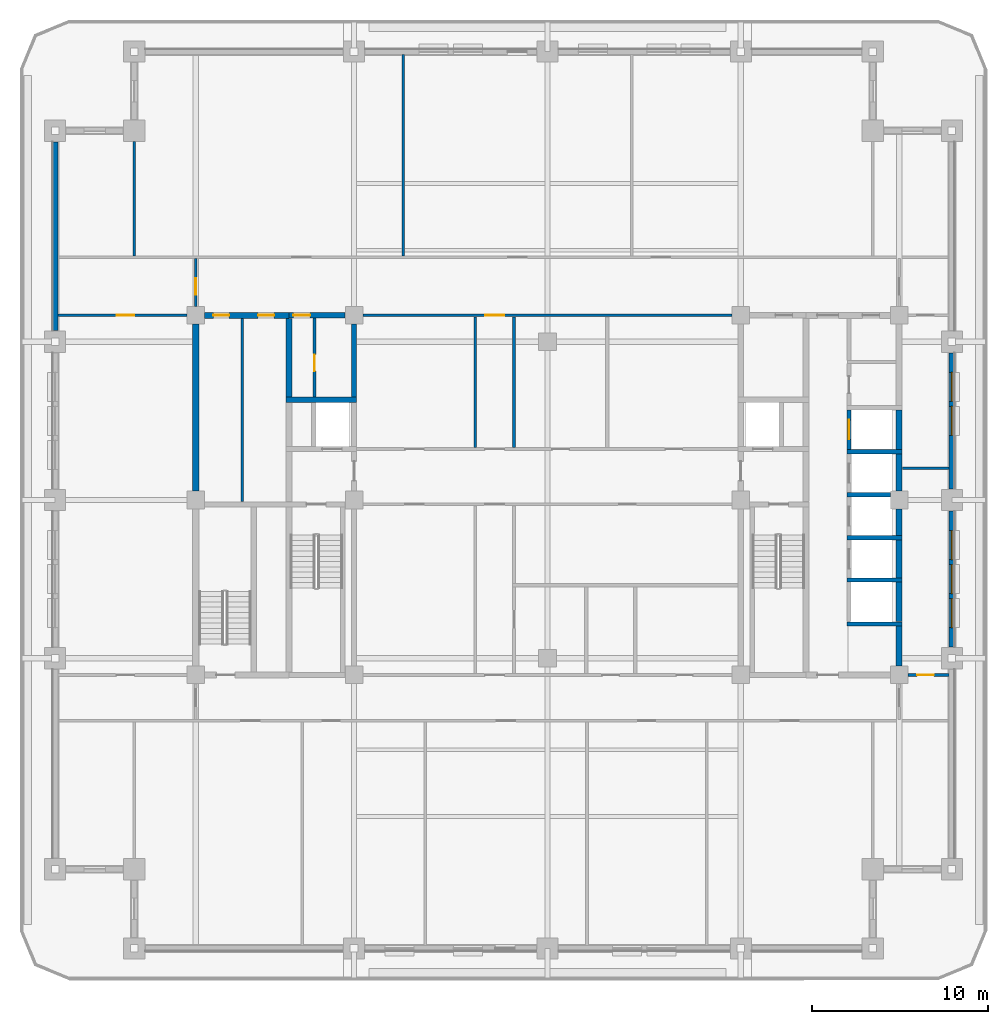
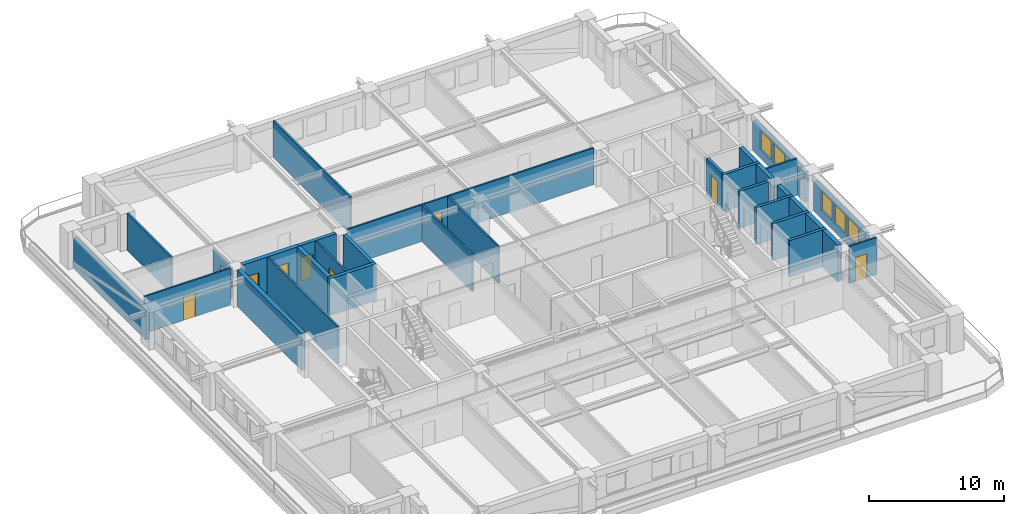
# One storey, part 5 of 16: 32 walls, 9 doors, 5 windows, 14 openings.
"""IFC4 building model written with IfcOpenShell, lengths in metres."""

from ifc_helpers import new_model, si_unit, direction, frame, frame_2d, origin, place, context, subcontext, project, spatial, rectangle, extrude, material, layer, layer_set, type_object, element, fill, save


model = new_model("IFC4")

# Units and contexts
model_context = context("Model", 3, precision=1e-05, world=origin(), true_north=direction((0.0, 1.0)))
body_context = subcontext(model_context, "Body", "Model", "MODEL_VIEW")
ifc_project = project(units=[si_unit("LENGTHUNIT", "METRE"), si_unit("AREAUNIT", "SQUARE_METRE"), si_unit("VOLUMEUNIT", "CUBIC_METRE"), si_unit("PLANEANGLEUNIT", "RADIAN"), si_unit("MASSUNIT", "GRAM", prefix="KILO")], contexts=[model_context])

# Site, building, storey
site_placement = place(None, origin())
site = spatial("IfcSite", under=ifc_project, at=site_placement, CompositionType="ELEMENT")
building_placement = place(site_placement, origin())
building = spatial("IfcBuilding", under=site, at=building_placement, Name="Zulmaris Gate Convention Tower", CompositionType="ELEMENT")
storey_placement = place(building_placement, frame((0.0, 0.0, 124.919921875)))
storey = spatial("IfcBuildingStorey", under=building, at=storey_placement, Name="L31", CompositionType="ELEMENT", Elevation=124.919921875)

# Walls
ifc_material_1 = material(Name="Concrete C50/60", Category="concrete")
ifc_layer_1 = layer(ifc_material_1, 0.25, Name="Concrete C50/60")
ifc_layer_set_1 = layer_set([ifc_layer_1], Name="Concrete C50/60")
wall_type_1 = type_object("IfcWallType", Name="CORE-250", PredefinedType="SOLIDWALL", material=ifc_layer_set_1)
for number, where, z_axis, x_axis, name in (
    (1, (17.02490234375, -7.050048828125, 0.0), (0.0, 0.0, 1.0), (1.0, 0.0, 0.0), "WL-L31-005"),
    (2, (17.02490234375, -4.550048828125, 0.0), (0.0, 0.0, 1.0), (1.0, 0.0, 0.0), "WL-L31-006"),
    (3, (17.02490234375, -2.14990234375, 0.0), (0.0, 0.0, 1.0), (1.0, 0.0, 0.0), "WL-L31-007"),
):
    element("IfcWall", number, at=place(storey_placement, frame(where, z_axis=z_axis, x_axis=x_axis)), inside=storey, type_object=wall_type_1, Name=name, PredefinedType="SOLIDWALL", context=body_context, shape_type="SweptSolid", body=[
        extrude(rectangle(XDim=3.150146484375, YDim=0.25, at=frame_2d((1.5751953125, 0.0))), origin(), (0.0, 0.0, 1.0), 3.31982421875),
    ])
wall_1_placement = place(storey_placement, frame((17.02490234375, 0.300048828125, 0.0), z_axis=(0.0, 0.0, 1.0), x_axis=(1.0, 0.0, 0.0)))
element("IfcWall", 4, at=wall_1_placement, inside=storey, type_object=wall_type_1, Name="WL-L31-010", PredefinedType="SOLIDWALL", context=body_context, shape_type="SweptSolid", body=[
    extrude(rectangle(XDim=2.47119140625, YDim=0.25, at=frame_2d((1.235595703125, 0.0))), origin(), (0.0, 0.0, 1.0), 3.31982421875),
])
wall_2_placement = place(storey_placement, frame((17.02490234375, 2.75, 0.0), z_axis=(0.0, 0.0, 1.0), x_axis=(1.0, 0.0, 0.0)))
element("IfcWall", 5, at=wall_2_placement, inside=storey, type_object=wall_type_1, Name="WL-L31-011", PredefinedType="SOLIDWALL", context=body_context, shape_type="SweptSolid", body=[
    extrude(rectangle(XDim=3.150146484375, YDim=0.25, at=frame_2d((1.5751953125, 0.0))), origin(), (0.0, 0.0, 1.0), 3.31982421875),
])

# Wall, opening, door
wall_3_placement = place(storey_placement, frame((17.14990234375, 2.876953125, 0.0), z_axis=(0.0, 0.0, 1.0), x_axis=(0.0, 1.0, 0.0)))
wall_3 = element("IfcWall", 6, at=wall_3_placement, inside=storey, type_object=wall_type_1, Name="WL-L31-061", PredefinedType="SOLIDWALL", context=body_context, shape_type="SweptSolid", body=[
    extrude(rectangle(XDim=2.24609375, YDim=0.25, at=frame_2d((1.123046875, 0.0))), origin(), (0.0, 0.0, 1.0), 3.31982421875),
])
opening_1_placement = place(wall_3_placement, frame((0.572998046875, 0.0, 0.0)))
opening_1 = element("IfcOpeningElement", 7, at=opening_1_placement, cuts=wall_3, Name="Opening D-06", PredefinedType="OPENING", context=body_context, shape_type="SweptSolid", body=[
    extrude(rectangle(XDim=1.10009765625, YDim=2.199951171875, at=frame_2d((0.550048828125, 1.10009765625))), frame((0.0, 0.135009765625, 0.0), z_axis=(0.0, -1.0, 0.0), x_axis=(1.0, 0.0, 0.0)), (0.0, 0.0, 1.0), 0.27001953125),
])
ifc_material_2 = material(Name="Brushed Stainless Steel", Category="steel")
door_type_1 = type_object("IfcDoorType", Name="LD-1100", OperationType="NOTDEFINED", PredefinedType="DOOR", material=ifc_material_2)
door_1_placement = place(opening_1_placement, origin())
door_1 = element("IfcDoor", 8, at=door_1_placement, inside=storey, type_object=door_type_1, Name="L31 Lift Landing Door MP-04 16", OperationType="SLIDING_TO_RIGHT", OverallHeight=2.199951171875, OverallWidth=1.10009765625, PredefinedType="DOOR", context=body_context, shape_type="SweptSolid", body=[
    extrude(rectangle(XDim=1.10009765625, YDim=2.199951171875, at=frame_2d((0.550048828125, 1.10009765625))), frame((0.0, 0.02490234375, 0.0), z_axis=(0.0, -1.0, 0.0), x_axis=(1.0, 0.0, 0.0)), (0.0, 0.0, 1.0), 0.050048828125),
])
fill(opening_1, door_1)

# Wall
ifc_layer_2 = layer(ifc_material_1, 0.300048828125, Name="Concrete C50/60")
ifc_layer_set_2 = layer_set([ifc_layer_2], Name="Concrete C50/60")
wall_type_2 = type_object("IfcWallType", Name="CORE-300", PredefinedType="SHEAR", material=ifc_layer_set_2)
wall_4_placement = place(storey_placement, frame((-14.875, 5.699951171875, 0.0), z_axis=(0.0, 0.0, 1.0), x_axis=(1.0, 0.0, 0.0)))
element("IfcWall", 9, at=wall_4_placement, inside=storey, type_object=wall_type_2, Name="WL-L31-015", PredefinedType="SHEAR", context=body_context, shape_type="SweptSolid", body=[
    extrude(rectangle(XDim=4.02490234375, YDim=0.300048828125, at=frame_2d((2.012451171875, 0.0))), origin(), (0.0, 0.0, 1.0), 3.31982421875),
])

# Wall, opening, door
wall_5_placement = place(storey_placement, frame((-14.699951171875, 10.5, 0.0), z_axis=(0.0, 0.0, 1.0), x_axis=(1.0, 0.0, 0.0)))
wall_5 = element("IfcWall", 10, at=wall_5_placement, inside=storey, type_object=wall_type_2, Name="WL-L31-018", PredefinedType="SHEAR", context=body_context, shape_type="SweptSolid", body=[
    extrude(rectangle(XDim=3.196044921875, YDim=0.300048828125, at=frame_2d((1.59814453125, 0.0))), origin(), (0.0, 0.0, 1.0), 3.31982421875),
])
opening_2_placement = place(wall_5_placement, frame((0.2451171875, 0.0, 0.0)))
opening_2 = element("IfcOpeningElement", 11, at=opening_2_placement, cuts=wall_5, Name="Opening D-11", PredefinedType="OPENING", context=body_context, shape_type="SweptSolid", body=[
    extrude(rectangle(XDim=0.949951171875, YDim=2.14990234375, at=frame_2d((0.47509765625, 1.074951171875))), frame((0.0, 0.16015625, 0.0), z_axis=(0.0, -1.0, 0.0), x_axis=(1.0, 0.0, 0.0)), (0.0, 0.0, 1.0), 0.320068359375),
])
ifc_material_3 = material(Name="Fire-Rated Timber", Category="wood")
door_type_2 = type_object("IfcDoorType", Name="DR-950-FD", OperationType="NOTDEFINED", PredefinedType="DOOR", material=ifc_material_3)
door_2_placement = place(opening_2_placement, origin())
door_2 = element("IfcDoor", 12, at=door_2_placement, inside=storey, type_object=door_type_2, Name="L31 Core Mail Room Door 07", OperationType="SINGLE_SWING_LEFT", OverallHeight=2.14990234375, OverallWidth=0.949951171875, PredefinedType="DOOR", context=body_context, shape_type="SweptSolid", body=[
    extrude(rectangle(XDim=0.949951171875, YDim=2.14990234375, at=frame_2d((0.47509765625, 1.074951171875))), frame((0.0, 0.02490234375, 0.0), z_axis=(0.0, -1.0, 0.0), x_axis=(1.0, 0.0, 0.0)), (0.0, 0.0, 1.0), 0.050048828125),
])
fill(opening_2, door_2)

# Wall
wall_6_placement = place(storey_placement, frame((-11.0, 5.85205078125, 0.0), z_axis=(0.0, 0.0, 1.0), x_axis=(0.0, 1.0, 0.0)))
element("IfcWall", 13, at=wall_6_placement, inside=storey, type_object=wall_type_2, Name="WL-L31-046", PredefinedType="SHEAR", context=body_context, shape_type="SweptSolid", body=[
    extrude(rectangle(XDim=4.14404296875, YDim=0.300048828125, at=frame_2d((2.072021484375, 0.0))), origin(), (0.0, 0.0, 1.0), 3.31982421875),
])

# Wall, openings, doors
ifc_material_4 = material(Name="Concrete C55/67", Category="concrete")
ifc_layer_3 = layer(ifc_material_4, 0.35009765625, Name="Concrete C55/67")
ifc_layer_set_3 = layer_set([ifc_layer_3], Name="Concrete C55/67")
wall_type_3 = type_object("IfcWallType", Name="CORE-350", PredefinedType="SHEAR", material=ifc_layer_set_3)
wall_7_placement = place(storey_placement, frame((-19.49609375, 10.5, 0.0), z_axis=(0.0, 0.0, 1.0), x_axis=(1.0, 0.0, 0.0)))
wall_7 = element("IfcWall", 14, at=wall_7_placement, inside=storey, type_object=wall_type_3, Name="WL-L31-017", PredefinedType="SHEAR", context=body_context, shape_type="SweptSolid", body=[
    extrude(rectangle(XDim=4.796142578125, YDim=0.35009765625, at=frame_2d((2.39794921875, 0.0))), origin(), (0.0, 0.0, 1.0), 3.31982421875),
])
opening_3_placement = place(wall_7_placement, frame((0.49609375, 0.0, 0.0)))
opening_3 = element("IfcOpeningElement", 15, at=opening_3_placement, cuts=wall_7, Name="Opening D-12", PredefinedType="OPENING", context=body_context, shape_type="SweptSolid", body=[
    extrude(rectangle(XDim=0.89990234375, YDim=2.14990234375, at=frame_2d((0.449951171875, 1.074951171875))), frame((0.0, 0.18505859375, 0.0), z_axis=(0.0, -1.0, 0.0), x_axis=(1.0, 0.0, 0.0)), (0.0, 0.0, 1.0), 0.3701171875),
])
opening_4_placement = place(wall_7_placement, frame((3.0458984375, 0.0, 0.0)))
opening_4 = element("IfcOpeningElement", 16, at=opening_4_placement, cuts=wall_7, Name="Opening D-12", PredefinedType="OPENING", context=body_context, shape_type="SweptSolid", body=[
    extrude(rectangle(XDim=0.89990234375, YDim=2.14990234375, at=frame_2d((0.449951171875, 1.074951171875))), frame((0.0, 0.18505859375, 0.0), z_axis=(0.0, -1.0, 0.0), x_axis=(1.0, 0.0, 0.0)), (0.0, 0.0, 1.0), 0.3701171875),
])
door_type_3 = type_object("IfcDoorType", Name="DR-900-FD", OperationType="NOTDEFINED", PredefinedType="DOOR", material=ifc_material_3)
door_3_placement = place(opening_3_placement, origin())
door_3 = element("IfcDoor", 17, at=door_3_placement, inside=storey, type_object=door_type_3, Name="L31 Server Room Door 11", OperationType="SINGLE_SWING_LEFT", OverallHeight=2.14990234375, OverallWidth=0.89990234375, PredefinedType="DOOR", context=body_context, shape_type="SweptSolid", body=[
    extrude(rectangle(XDim=0.89990234375, YDim=2.14990234375, at=frame_2d((0.449951171875, 1.074951171875))), frame((0.0, 0.02490234375, 0.0), z_axis=(0.0, -1.0, 0.0), x_axis=(1.0, 0.0, 0.0)), (0.0, 0.0, 1.0), 0.050048828125),
])
fill(opening_3, door_3)
door_4_placement = place(opening_4_placement, origin())
door_4 = element("IfcDoor", 18, at=door_4_placement, inside=storey, type_object=door_type_3, Name="L31 Reclaimed Pantry Door 12", OperationType="SINGLE_SWING_RIGHT", OverallHeight=2.14990234375, OverallWidth=0.89990234375, PredefinedType="DOOR", context=body_context, shape_type="SweptSolid", body=[
    extrude(rectangle(XDim=0.89990234375, YDim=2.14990234375, at=frame_2d((0.449951171875, 1.074951171875))), frame((0.0, 0.02490234375, 0.0), z_axis=(0.0, -1.0, 0.0), x_axis=(1.0, 0.0, 0.0)), (0.0, 0.0, 1.0), 0.050048828125),
])
fill(opening_4, door_4)

# Walls
wall_8_placement = place(storey_placement, frame((-20.0, 0.50390625, 0.0), z_axis=(0.0, 0.0, 1.0), x_axis=(0.0, 1.0, 0.0)))
element("IfcWall", 19, at=wall_8_placement, inside=storey, type_object=wall_type_3, Name="WL-L31-035", PredefinedType="SHEAR", context=body_context, shape_type="SweptSolid", body=[
    extrude(rectangle(XDim=9.4921875, YDim=0.35009765625, at=frame_2d((4.74609375, 0.0))), origin(), (0.0, 0.0, 1.0), 3.31982421875),
])
wall_9_placement = place(storey_placement, frame((-14.699951171875, 5.85205078125, 0.0), z_axis=(0.0, 0.0, 1.0), x_axis=(0.0, 1.0, 0.0)))
element("IfcWall", 20, at=wall_9_placement, inside=storey, type_object=wall_type_3, Name="WL-L31-040", PredefinedType="SHEAR", context=body_context, shape_type="SweptSolid", body=[
    extrude(rectangle(XDim=4.470947265625, YDim=0.35009765625, at=frame_2d((2.2353515625, 0.0))), origin(), (0.0, 0.0, 1.0), 3.31982421875),
])
wall_10_placement = place(storey_placement, frame((20.0, -9.446044921875, 0.0), z_axis=(0.0, 0.0, 1.0), x_axis=(0.0, 1.0, 0.0)))
element("IfcWall", 21, at=wall_10_placement, inside=storey, type_object=wall_type_3, Name="WL-L31-062", PredefinedType="SHEAR", context=body_context, shape_type="SweptSolid", body=[
    extrude(rectangle(XDim=2.26904296875, YDim=0.35009765625, at=frame_2d((1.134521484375, 0.0))), origin(), (0.0, 0.0, 1.0), 3.31982421875),
])
wall_11_placement = place(storey_placement, frame((20.0, -6.923095703125, 0.0), z_axis=(0.0, 0.0, 1.0), x_axis=(0.0, 1.0, 0.0)))
element("IfcWall", 22, at=wall_11_placement, inside=storey, type_object=wall_type_3, Name="WL-L31-063", PredefinedType="SHEAR", context=body_context, shape_type="SweptSolid", body=[
    extrude(rectangle(XDim=2.24609375, YDim=0.35009765625, at=frame_2d((1.123046875, 0.0))), origin(), (0.0, 0.0, 1.0), 3.31982421875),
])
wall_12_placement = place(storey_placement, frame((20.0, -4.423095703125, 0.0), z_axis=(0.0, 0.0, 1.0), x_axis=(0.0, 1.0, 0.0)))
element("IfcWall", 23, at=wall_12_placement, inside=storey, type_object=wall_type_3, Name="WL-L31-064", PredefinedType="SHEAR", context=body_context, shape_type="SweptSolid", body=[
    extrude(rectangle(XDim=2.14599609375, YDim=0.35009765625, at=frame_2d((1.072998046875, 0.0))), origin(), (0.0, 0.0, 1.0), 3.31982421875),
])
wall_13_placement = place(storey_placement, frame((20.0, -2.02294921875, 0.0), z_axis=(0.0, 0.0, 1.0), x_axis=(0.0, 1.0, 0.0)))
element("IfcWall", 24, at=wall_13_placement, inside=storey, type_object=wall_type_3, Name="WL-L31-065", PredefinedType="SHEAR", context=body_context, shape_type="SweptSolid", body=[
    extrude(rectangle(XDim=1.51904296875, YDim=0.35009765625, at=frame_2d((0.759521484375, 0.0))), origin(), (0.0, 0.0, 1.0), 3.31982421875),
])
wall_14_placement = place(storey_placement, frame((20.0, 0.50390625, 0.0), z_axis=(0.0, 0.0, 1.0), x_axis=(0.0, 1.0, 0.0)))
element("IfcWall", 25, at=wall_14_placement, inside=storey, type_object=wall_type_3, Name="WL-L31-066", PredefinedType="SHEAR", context=body_context, shape_type="SweptSolid", body=[
    extrude(rectangle(XDim=2.119140625, YDim=0.35009765625, at=frame_2d((1.0595703125, 0.0))), origin(), (0.0, 0.0, 1.0), 3.31982421875),
])
wall_15_placement = place(storey_placement, frame((20.0, 2.876953125, 0.0), z_axis=(0.0, 0.0, 1.0), x_axis=(0.0, 1.0, 0.0)))
element("IfcWall", 26, at=wall_15_placement, inside=storey, type_object=wall_type_3, Name="WL-L31-067", PredefinedType="SHEAR", context=body_context, shape_type="SweptSolid", body=[
    extrude(rectangle(XDim=2.24609375, YDim=0.35009765625, at=frame_2d((1.123046875, 0.0))), origin(), (0.0, 0.0, 1.0), 3.31982421875),
])

# Wall, opening, door
ifc_material_5 = material(Name="Gypsum Metal Stud Partition")
ifc_layer_4 = layer(ifc_material_5, 0.14990234375, Name="Gypsum Metal Stud Partition")
ifc_layer_set_4 = layer_set([ifc_layer_4], Name="Gypsum Metal Stud Partition")
wall_type_4 = type_object("IfcWallType", Name="PART-150", PredefinedType="PARTITIONING", material=ifc_layer_set_4)
wall_16_placement = place(storey_placement, frame((20.506103515625, -9.949951171875, 0.0), z_axis=(0.0, 0.0, 1.0), x_axis=(1.0, 0.0, 0.0)))
wall_16 = element("IfcWall", 27, at=wall_16_placement, inside=storey, type_object=wall_type_4, Name="WL-L31-024", PredefinedType="PARTITIONING", context=body_context, shape_type="SweptSolid", body=[
    extrude(rectangle(XDim=2.328857421875, YDim=0.14990234375, at=frame_2d((1.16455078125, 0.0))), origin(), (0.0, 0.0, 1.0), 3.31982421875),
])
opening_5_placement = place(wall_16_placement, frame((0.51904296875, 0.0, 0.0)))
opening_5 = element("IfcOpeningElement", 28, at=opening_5_placement, cuts=wall_16, Name="Opening D-11", PredefinedType="OPENING", context=body_context, shape_type="SweptSolid", body=[
    extrude(rectangle(XDim=0.949951171875, YDim=2.14990234375, at=frame_2d((0.47509765625, 1.074951171875))), frame((0.0, 0.0849609375, 0.0), z_axis=(0.0, -1.0, 0.0), x_axis=(1.0, 0.0, 0.0)), (0.0, 0.0, 1.0), 0.169921875),
])
door_5_placement = place(opening_5_placement, origin())
door_5 = element("IfcDoor", 29, at=door_5_placement, inside=storey, type_object=door_type_2, Name="L31 SE Partner Door 48", OperationType="SINGLE_SWING_RIGHT", OverallHeight=2.14990234375, OverallWidth=0.949951171875, PredefinedType="DOOR", context=body_context, shape_type="SweptSolid", body=[
    extrude(rectangle(XDim=0.949951171875, YDim=2.14990234375, at=frame_2d((0.47509765625, 1.074951171875))), frame((0.0, 0.02490234375, 0.0), z_axis=(0.0, -1.0, 0.0), x_axis=(1.0, 0.0, 0.0)), (0.0, 0.0, 1.0), 0.050048828125),
])
fill(opening_5, door_5)

# Wall
wall_17_placement = place(storey_placement, frame((20.177978515625, 1.800048828125, 0.0), z_axis=(0.0, 0.0, 1.0), x_axis=(1.0, 0.0, 0.0)))
element("IfcWall", 30, at=wall_17_placement, inside=storey, type_object=wall_type_4, Name="WL-L31-027", PredefinedType="PARTITIONING", context=body_context, shape_type="SweptSolid", body=[
    extrude(rectangle(XDim=2.656982421875, YDim=0.14990234375, at=frame_2d((1.32861328125, 0.0))), origin(), (0.0, 0.0, 1.0), 3.31982421875),
])

# Wall, opening, door
wall_18_placement = place(storey_placement, frame((-27.8349609375, 10.5, 0.0), z_axis=(0.0, 0.0, 1.0), x_axis=(1.0, 0.0, 0.0)))
wall_18 = element("IfcWall", 31, at=wall_18_placement, inside=storey, type_object=wall_type_4, Name="WL-L31-030", PredefinedType="PARTITIONING", context=body_context, shape_type="SweptSolid", body=[
    extrude(rectangle(XDim=7.328857421875, YDim=0.14990234375, at=frame_2d((3.66455078125, 0.0))), origin(), (0.0, 0.0, 1.0), 3.31982421875),
])
opening_6_placement = place(wall_18_placement, frame((3.3349609375, 0.0, 0.0)))
opening_6 = element("IfcOpeningElement", 32, at=opening_6_placement, cuts=wall_18, Name="Opening D-10", PredefinedType="OPENING", context=body_context, shape_type="SweptSolid", body=[
    extrude(rectangle(XDim=1.0, YDim=2.14990234375, at=frame_2d((0.5, 1.074951171875))), frame((0.0, 0.0849609375, 0.0), z_axis=(0.0, -1.0, 0.0), x_axis=(1.0, 0.0, 0.0)), (0.0, 0.0, 1.0), 0.169921875),
])
door_type_4 = type_object("IfcDoorType", Name="DR-1000-FD", OperationType="NOTDEFINED", PredefinedType="DOOR", material=ifc_material_3)
door_6_placement = place(opening_6_placement, origin())
door_6 = element("IfcDoor", 33, at=door_6_placement, inside=storey, type_object=door_type_4, Name="L31 West Workplace North Door 43", OperationType="SINGLE_SWING_LEFT", OverallHeight=2.14990234375, OverallWidth=1.0, PredefinedType="DOOR", context=body_context, shape_type="SweptSolid", body=[
    extrude(rectangle(XDim=1.0, YDim=2.14990234375, at=frame_2d((0.5, 1.074951171875))), frame((0.0, 0.02490234375, 0.0), z_axis=(0.0, -1.0, 0.0), x_axis=(1.0, 0.0, 0.0)), (0.0, 0.0, 1.0), 0.050048828125),
])
fill(opening_6, door_6)

wall_19_placement = place(storey_placement, frame((-10.493896484375, 10.5, 0.0), z_axis=(0.0, 0.0, 1.0), x_axis=(1.0, 0.0, 0.0)))
wall_19 = element("IfcWall", 34, at=wall_19_placement, inside=storey, type_object=wall_type_4, Name="WL-L31-031", PredefinedType="PARTITIONING", context=body_context, shape_type="SweptSolid", body=[
    extrude(rectangle(XDim=20.98779296875, YDim=0.14990234375, at=frame_2d((10.493896484375, 0.0))), origin(), (0.0, 0.0, 1.0), 3.31982421875),
])
opening_7_placement = place(wall_19_placement, frame((6.944091796875, 0.0, 0.0)))
opening_7 = element("IfcOpeningElement", 35, at=opening_7_placement, cuts=wall_19, Name="Opening D-08", PredefinedType="OPENING", context=body_context, shape_type="SweptSolid", body=[
    extrude(rectangle(XDim=1.10009765625, YDim=2.14990234375, at=frame_2d((0.550048828125, 1.074951171875))), frame((0.0, 0.0849609375, 0.0), z_axis=(0.0, -1.0, 0.0), x_axis=(1.0, 0.0, 0.0)), (0.0, 0.0, 1.0), 0.169921875),
])
ifc_material_6 = material(Name="Fire-Rated Steel", Category="steel")
door_type_5 = type_object("IfcDoorType", Name="DR-1100-FD", OperationType="NOTDEFINED", PredefinedType="DOOR", material=ifc_material_6)
door_7_placement = place(opening_7_placement, origin())
door_7 = element("IfcDoor", 36, at=door_7_placement, inside=storey, type_object=door_type_5, Name="L31 North Gallery Link Door 21", OperationType="SINGLE_SWING_LEFT", OverallHeight=2.14990234375, OverallWidth=1.10009765625, PredefinedType="DOOR", context=body_context, shape_type="SweptSolid", body=[
    extrude(rectangle(XDim=1.10009765625, YDim=2.14990234375, at=frame_2d((0.550048828125, 1.074951171875))), frame((0.0, 0.02490234375, 0.0), z_axis=(0.0, -1.0, 0.0), x_axis=(1.0, 0.0, 0.0)), (0.0, 0.0, 1.0), 0.050048828125),
])
fill(opening_7, door_7)

# Wall
wall_20_placement = place(storey_placement, frame((-23.5, 13.8779296875, 0.0), z_axis=(0.0, 0.0, 1.0), x_axis=(0.0, 1.0, 0.0)))
element("IfcWall", 37, at=wall_20_placement, inside=storey, type_object=wall_type_4, Name="WL-L31-070", PredefinedType="PARTITIONING", context=body_context, shape_type="SweptSolid", body=[
    extrude(rectangle(XDim=6.51611328125, YDim=0.14990234375, at=frame_2d((3.258056640625, 0.0))), origin(), (0.0, 0.0, 1.0), 3.31982421875),
])

# Wall, opening, door
wall_21_placement = place(storey_placement, frame((-20.0, 11.006103515625, 0.0), z_axis=(0.0, 0.0, 1.0), x_axis=(0.0, 1.0, 0.0)))
wall_21 = element("IfcWall", 38, at=wall_21_placement, inside=storey, type_object=wall_type_4, Name="WL-L31-072", PredefinedType="PARTITIONING", context=body_context, shape_type="SweptSolid", body=[
    extrude(rectangle(XDim=2.7158203125, YDim=0.14990234375, at=frame_2d((1.35791015625, 0.0))), origin(), (0.0, 0.0, 1.0), 2.809814453125),
])
opening_8_placement = place(wall_21_placement, frame((0.6689453125, 0.0, 0.0)))
opening_8 = element("IfcOpeningElement", 39, at=opening_8_placement, cuts=wall_21, Name="Opening D-11", PredefinedType="OPENING", context=body_context, shape_type="SweptSolid", body=[
    extrude(rectangle(XDim=0.949951171875, YDim=2.14990234375, at=frame_2d((0.47509765625, 1.074951171875))), frame((0.0, 0.0849609375, 0.0), z_axis=(0.0, -1.0, 0.0), x_axis=(1.0, 0.0, 0.0)), (0.0, 0.0, 1.0), 0.169921875),
])
door_8_placement = place(opening_8_placement, origin())
door_8 = element("IfcDoor", 40, at=door_8_placement, inside=storey, type_object=door_type_2, Name="L31 NW Spur Door 41", OperationType="SINGLE_SWING_LEFT", OverallHeight=2.14990234375, OverallWidth=0.949951171875, PredefinedType="DOOR", context=body_context, shape_type="SweptSolid", body=[
    extrude(rectangle(XDim=0.949951171875, YDim=2.14990234375, at=frame_2d((0.47509765625, 1.074951171875))), frame((0.0, 0.02490234375, 0.0), z_axis=(0.0, -1.0, 0.0), x_axis=(1.0, 0.0, 0.0)), (0.0, 0.0, 1.0), 0.050048828125),
])
fill(opening_8, door_8)

# Wall
wall_22_placement = place(storey_placement, frame((-17.35009765625, -0.096923828125, 0.0), z_axis=(0.0, 0.0, 1.0), x_axis=(0.0, 1.0, 0.0)))
element("IfcWall", 41, at=wall_22_placement, inside=storey, type_object=wall_type_4, Name="WL-L31-073", PredefinedType="PARTITIONING", context=body_context, shape_type="SweptSolid", body=[
    extrude(rectangle(XDim=10.4189453125, YDim=0.14990234375, at=frame_2d((5.20947265625, 0.0))), origin(), (0.0, 0.0, 1.0), 3.31982421875),
])

# Wall, opening, door
wall_23_placement = place(storey_placement, frame((-13.25, 5.85302734375, 0.0), z_axis=(0.0, 0.0, 1.0), x_axis=(0.0, 1.0, 0.0)))
wall_23 = element("IfcWall", 42, at=wall_23_placement, inside=storey, type_object=wall_type_4, Name="WL-L31-075", PredefinedType="PARTITIONING", context=body_context, shape_type="SweptSolid", body=[
    extrude(rectangle(XDim=4.493896484375, YDim=0.14990234375, at=frame_2d((2.2470703125, 0.0))), origin(), (0.0, 0.0, 1.0), 3.31982421875),
])
opening_9_placement = place(wall_23_placement, frame((1.471923828125, 0.0, 0.0)))
opening_9 = element("IfcOpeningElement", 43, at=opening_9_placement, cuts=wall_23, Name="Opening D-11", PredefinedType="OPENING", context=body_context, shape_type="SweptSolid", body=[
    extrude(rectangle(XDim=0.949951171875, YDim=2.14990234375, at=frame_2d((0.47509765625, 1.074951171875))), frame((0.0, 0.0849609375, 0.0), z_axis=(0.0, -1.0, 0.0), x_axis=(1.0, 0.0, 0.0)), (0.0, 0.0, 1.0), 0.169921875),
])
door_9_placement = place(opening_9_placement, origin())
door_9 = element("IfcDoor", 44, at=door_9_placement, inside=storey, type_object=door_type_2, Name="L31 Core Janitor Door 08", OperationType="SINGLE_SWING_RIGHT", OverallHeight=2.14990234375, OverallWidth=0.949951171875, PredefinedType="DOOR", context=body_context, shape_type="SweptSolid", body=[
    extrude(rectangle(XDim=0.949951171875, YDim=2.14990234375, at=frame_2d((0.47509765625, 1.074951171875))), frame((0.0, 0.02490234375, 0.0), z_axis=(0.0, -1.0, 0.0), x_axis=(1.0, 0.0, 0.0)), (0.0, 0.0, 1.0), 0.050048828125),
])
fill(opening_9, door_9)

# Walls
wall_24_placement = place(storey_placement, frame((-8.199951171875, 13.8779296875, 0.0), z_axis=(0.0, 0.0, 1.0), x_axis=(0.0, 1.0, 0.0)))
element("IfcWall", 45, at=wall_24_placement, inside=storey, type_object=wall_type_4, Name="WL-L31-076", PredefinedType="PARTITIONING", context=body_context, shape_type="SweptSolid", body=[
    extrude(rectangle(XDim=11.45703125, YDim=0.14990234375, at=frame_2d((5.728515625, 0.0))), origin(), (0.0, 0.0, 1.0), 3.31982421875),
])
for number, where, z_axis, x_axis, name in (
    (46, (-4.10009765625, 2.97802734375, 0.0), (0.0, 0.0, 1.0), (0.0, 1.0, 0.0), "WL-L31-079"),
    (47, (-1.89990234375, 2.97802734375, 0.0), (0.0, 0.0, 1.0), (0.0, 1.0, 0.0), "WL-L31-082"),
):
    element("IfcWall", number, at=place(storey_placement, frame(where, z_axis=z_axis, x_axis=x_axis)), inside=storey, type_object=wall_type_4, Name=name, PredefinedType="PARTITIONING", context=body_context, shape_type="SweptSolid", body=[
        extrude(rectangle(XDim=7.444091796875, YDim=0.14990234375, at=frame_2d((3.72216796875, 0.0))), origin(), (0.0, 0.0, 1.0), 3.31982421875),
    ])

# Wall, openings, windows
ifc_material_7 = material(Name="Precast concrete C40/50", Category="concrete")
ifc_layer_5 = layer(ifc_material_7, 0.300048828125, Name="Precast concrete C40/50")
ifc_layer_set_5 = layer_set([ifc_layer_5], Name="Precast concrete C40/50")
wall_type_5 = type_object("IfcWallType", Name="PRECAST-PIER-300", PredefinedType="STANDARD", material=ifc_layer_set_5)
wall_25_placement = place(storey_placement, frame((23.0, -8.3701171875, 0.0), z_axis=(0.0, 0.0, 1.0), x_axis=(0.0, 1.0, 0.0)))
wall_25 = element("IfcWall", 48, at=wall_25_placement, inside=storey, type_object=wall_type_5, Name="EW-L31-E-1_0", PredefinedType="STANDARD", context=body_context, shape_type="SweptSolid", body=[
    extrude(rectangle(XDim=7.740234375, YDim=0.300048828125, at=frame_2d((3.8701171875, 0.0))), origin(), (0.0, 0.0, 1.0), 2.711669921875),
])
opening_10_placement = place(wall_25_placement, frame((1.110107421875, 0.0, 0.800048828125)))
opening_10 = element("IfcOpeningElement", 49, at=opening_10_placement, cuts=wall_25, Name="Opening W-08", PredefinedType="OPENING", context=body_context, shape_type="SweptSolid", body=[
    extrude(rectangle(XDim=1.64990234375, YDim=1.699951171875, at=frame_2d((0.824951171875, 0.85009765625))), frame((0.0, 0.16015625, 0.0), z_axis=(0.0, -1.0, 0.0), x_axis=(1.0, 0.0, 0.0)), (0.0, 0.0, 1.0), 0.320068359375),
])
opening_11_placement = place(wall_25_placement, frame((3.044921875, 0.0, 0.800048828125)))
opening_11 = element("IfcOpeningElement", 50, at=opening_11_placement, cuts=wall_25, Name="Opening W-08", PredefinedType="OPENING", context=body_context, shape_type="SweptSolid", body=[
    extrude(rectangle(XDim=1.64990234375, YDim=1.699951171875, at=frame_2d((0.824951171875, 0.85009765625))), frame((0.0, 0.16015625, 0.0), z_axis=(0.0, -1.0, 0.0), x_axis=(1.0, 0.0, 0.0)), (0.0, 0.0, 1.0), 0.320068359375),
])
opening_12_placement = place(wall_25_placement, frame((4.97998046875, 0.0, 0.800048828125)))
opening_12 = element("IfcOpeningElement", 51, at=opening_12_placement, cuts=wall_25, Name="Opening W-08", PredefinedType="OPENING", context=body_context, shape_type="SweptSolid", body=[
    extrude(rectangle(XDim=1.64990234375, YDim=1.699951171875, at=frame_2d((0.824951171875, 0.85009765625))), frame((0.0, 0.16015625, 0.0), z_axis=(0.0, -1.0, 0.0), x_axis=(1.0, 0.0, 0.0)), (0.0, 0.0, 1.0), 0.320068359375),
])
ifc_material_8 = material(Name="Low-E Laminated Double Glazing in Aluminium Frame", Category="aluminium")
window_type = type_object("IfcWindowType", Name="WIN-1650x2150", PartitioningType="SINGLE_PANEL", PredefinedType="WINDOW", material=ifc_material_8)
window_1_placement = place(opening_10_placement, origin())
window_1 = element("IfcWindow", 52, at=window_1_placement, inside=storey, type_object=window_type, Name="WN-EW-L31-E-1_0-1", OverallHeight=1.699951171875, OverallWidth=1.64990234375, PartitioningType="SINGLE_PANEL", PredefinedType="WINDOW", context=body_context, shape_type="SweptSolid", body=[
    extrude(rectangle(XDim=1.64990234375, YDim=1.699951171875, at=frame_2d((0.824951171875, 0.85009765625))), frame((0.0, 0.030029296875, 0.0), z_axis=(0.0, -1.0, 0.0), x_axis=(1.0, 0.0, 0.0)), (0.0, 0.0, 1.0), 0.06005859375),
])
fill(opening_10, window_1)
window_2_placement = place(opening_11_placement, origin())
window_2 = element("IfcWindow", 53, at=window_2_placement, inside=storey, type_object=window_type, Name="WN-EW-L31-E-1_0-2", OverallHeight=1.699951171875, OverallWidth=1.64990234375, PartitioningType="SINGLE_PANEL", PredefinedType="WINDOW", context=body_context, shape_type="SweptSolid", body=[
    extrude(rectangle(XDim=1.64990234375, YDim=1.699951171875, at=frame_2d((0.824951171875, 0.85009765625))), frame((0.0, 0.030029296875, 0.0), z_axis=(0.0, -1.0, 0.0), x_axis=(1.0, 0.0, 0.0)), (0.0, 0.0, 1.0), 0.06005859375),
])
fill(opening_11, window_2)
window_3_placement = place(opening_12_placement, origin())
window_3 = element("IfcWindow", 54, at=window_3_placement, inside=storey, type_object=window_type, Name="WN-EW-L31-E-1_0-3", OverallHeight=1.699951171875, OverallWidth=1.64990234375, PartitioningType="SINGLE_PANEL", PredefinedType="WINDOW", context=body_context, shape_type="SweptSolid", body=[
    extrude(rectangle(XDim=1.64990234375, YDim=1.699951171875, at=frame_2d((0.824951171875, 0.85009765625))), frame((0.0, 0.030029296875, 0.0), z_axis=(0.0, -1.0, 0.0), x_axis=(1.0, 0.0, 0.0)), (0.0, 0.0, 1.0), 0.06005859375),
])
fill(opening_12, window_3)

wall_26_placement = place(storey_placement, frame((23.0, 0.6298828125, 0.0), z_axis=(0.0, 0.0, 1.0), x_axis=(0.0, 1.0, 0.0)))
wall_26 = element("IfcWall", 55, at=wall_26_placement, inside=storey, type_object=wall_type_5, Name="EW-L31-E-2_0", PredefinedType="STANDARD", context=body_context, shape_type="SweptSolid", body=[
    extrude(rectangle(XDim=7.740234375, YDim=0.300048828125, at=frame_2d((3.8701171875, 0.0))), origin(), (0.0, 0.0, 1.0), 2.711669921875),
])
opening_13_placement = place(wall_26_placement, frame((3.044921875, 0.0, 0.800048828125)))
opening_13 = element("IfcOpeningElement", 56, at=opening_13_placement, cuts=wall_26, Name="Opening W-08", PredefinedType="OPENING", context=body_context, shape_type="SweptSolid", body=[
    extrude(rectangle(XDim=1.64990234375, YDim=1.699951171875, at=frame_2d((0.824951171875, 0.85009765625))), frame((0.0, 0.16015625, 0.0), z_axis=(0.0, -1.0, 0.0), x_axis=(1.0, 0.0, 0.0)), (0.0, 0.0, 1.0), 0.320068359375),
])
opening_14_placement = place(wall_26_placement, frame((4.97998046875, 0.0, 0.800048828125)))
opening_14 = element("IfcOpeningElement", 57, at=opening_14_placement, cuts=wall_26, Name="Opening W-08", PredefinedType="OPENING", context=body_context, shape_type="SweptSolid", body=[
    extrude(rectangle(XDim=1.64990234375, YDim=1.699951171875, at=frame_2d((0.824951171875, 0.85009765625))), frame((0.0, 0.16015625, 0.0), z_axis=(0.0, -1.0, 0.0), x_axis=(1.0, 0.0, 0.0)), (0.0, 0.0, 1.0), 0.320068359375),
])
window_4_placement = place(opening_13_placement, origin())
window_4 = element("IfcWindow", 58, at=window_4_placement, inside=storey, type_object=window_type, Name="WN-EW-L31-E-2_0-2", OverallHeight=1.699951171875, OverallWidth=1.64990234375, PartitioningType="SINGLE_PANEL", PredefinedType="WINDOW", context=body_context, shape_type="SweptSolid", body=[
    extrude(rectangle(XDim=1.64990234375, YDim=1.699951171875, at=frame_2d((0.824951171875, 0.85009765625))), frame((0.0, 0.030029296875, 0.0), z_axis=(0.0, -1.0, 0.0), x_axis=(1.0, 0.0, 0.0)), (0.0, 0.0, 1.0), 0.06005859375),
])
fill(opening_13, window_4)
window_5_placement = place(opening_14_placement, origin())
window_5 = element("IfcWindow", 59, at=window_5_placement, inside=storey, type_object=window_type, Name="WN-EW-L31-E-2_0-3", OverallHeight=1.699951171875, OverallWidth=1.64990234375, PartitioningType="SINGLE_PANEL", PredefinedType="WINDOW", context=body_context, shape_type="SweptSolid", body=[
    extrude(rectangle(XDim=1.64990234375, YDim=1.699951171875, at=frame_2d((0.824951171875, 0.85009765625))), frame((0.0, 0.030029296875, 0.0), z_axis=(0.0, -1.0, 0.0), x_axis=(1.0, 0.0, 0.0)), (0.0, 0.0, 1.0), 0.06005859375),
])
fill(opening_14, window_5)

# Wall
wall_27_placement = place(storey_placement, frame((-28.0, 20.3701171875, 0.0), z_axis=(0.0, 0.0, 1.0), x_axis=(0.0, -1.0, 0.0)))
element("IfcWall", 60, at=wall_27_placement, inside=storey, type_object=wall_type_5, Name="EW-L31-W-3_0", PredefinedType="STANDARD", context=body_context, shape_type="SweptSolid", body=[
    extrude(rectangle(XDim=10.740234375, YDim=0.300048828125, at=frame_2d((5.3701171875, 0.0))), origin(), (0.0, 0.0, 1.0), 2.711669921875),
])

save(model, "model.ifc")
